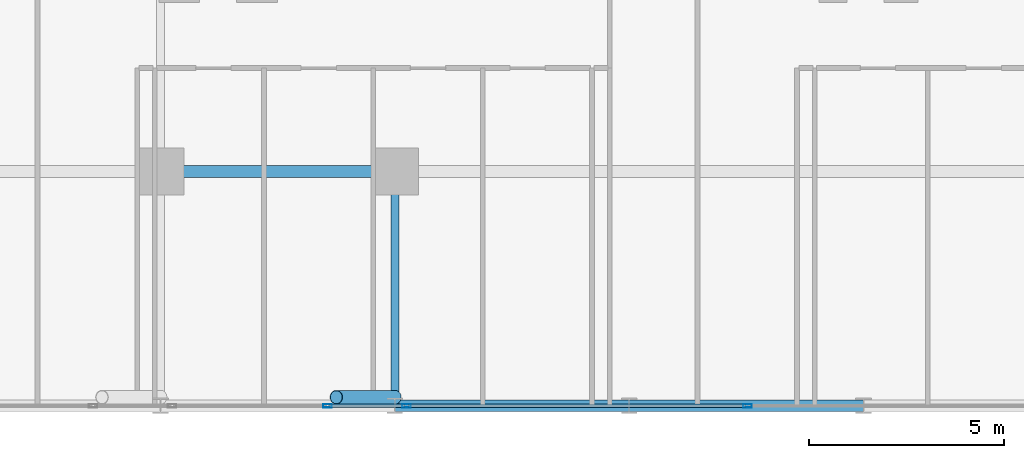
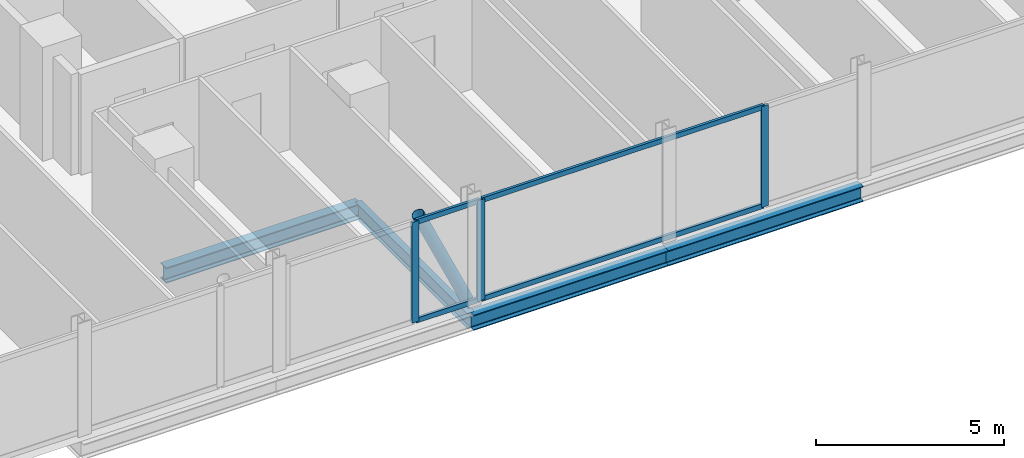
# One storey, part 8 of 33: 8 members, 4 beams, 2 elements without a shape of their own.
"""IFC4 building model written with IfcOpenShell, lengths in metres."""

from ifc_helpers import new_model, si_unit, direction, frame, origin, origin_2d, place, context, subcontext, project, spatial, hollow_rectangle, hollow_circle, i_section, extrude, material, layer, layer_set, material_profile, profile_set, type_object, element, aggregate, save


model = new_model("IFC4")

# Units and contexts
model_context = context("Model", 3, precision=1e-05, world=origin(), true_north=direction((0.0, 1.0)))
body_context = subcontext(model_context, "Body", "Model", "MODEL_VIEW")
ifc_project = project(units=[si_unit("LENGTHUNIT", "METRE"), si_unit("AREAUNIT", "SQUARE_METRE"), si_unit("VOLUMEUNIT", "CUBIC_METRE"), si_unit("PLANEANGLEUNIT", "RADIAN"), si_unit("MASSUNIT", "GRAM", prefix="KILO")], contexts=[model_context])

# Site, building, storey
site_placement = place(None, origin())
site = spatial("IfcSite", under=ifc_project, at=site_placement, CompositionType="ELEMENT")
building_placement = place(site_placement, origin())
building = spatial("IfcBuilding", under=site, at=building_placement, Name="Keshet Zoharim Tower", CompositionType="ELEMENT")
storey_placement = place(building_placement, frame((0.0, 0.0, 57.300048828125)))
storey = spatial("IfcBuildingStorey", under=building, at=storey_placement, Name="L13", CompositionType="ELEMENT", Elevation=57.300048828125)

# Beams
ifc_material_1 = material(Name="Steel S355", Category="steel")
ifc_material_profile_1 = material_profile(ifc_material_1, i_section(OverallWidth=0.199951171875, OverallDepth=0.5, WebThickness=0.01025390625, FlangeThickness=0.01611328125, FilletRadius=0.02099609375, at=origin_2d()), Name="IPE500")
ifc_profile_set_1 = profile_set([ifc_material_profile_1], Name="Steel S355")
beam_type_1 = type_object("IfcBeamType", Name="BM-PRI-IP500", PredefinedType="BEAM", material=ifc_profile_set_1)
beam_placement = place(storey_placement, frame((39.0, 0.699951171875, -0.56494140625), z_axis=(0.0, 1.0, 0.0), x_axis=(-1.0, 0.0, 0.0)))
element("IfcBeam", 1, at=beam_placement, inside=storey, type_object=beam_type_1, Name="L13 Primary Girder Y-012", PredefinedType="BEAM", context=body_context, shape_type="SweptSolid", body=[
    extrude(i_section(OverallWidth=0.199951171875, OverallDepth=0.5, WebThickness=0.01025390625, FlangeThickness=0.01611328125, FilletRadius=0.02099609375, at=origin_2d()), origin(), (0.0, 0.0, 1.0), 6.0),
])
ifc_material_profile_2 = material_profile(ifc_material_1, i_section(OverallWidth=0.300048828125, OverallDepth=0.5, WebThickness=0.014404296875, FlangeThickness=0.028076171875, FilletRadius=0.027099609375, at=origin_2d()), Name="HEB500")
ifc_profile_set_2 = profile_set([ifc_material_profile_2], Name="Steel S355")
beam_type_2 = type_object("IfcBeamType", Name="BM-WEB-HB500", PredefinedType="BEAM", material=ifc_profile_set_2)
for number, where, z_axis, x_axis, name in (
    (2, (39.0, 0.699951171875, -0.56494140625), (1.0, 0.0, 0.0), (0.0, 1.0, 0.0), "L13 Primary Girder X-003"),
    (3, (45.0, 0.699951171875, -0.56494140625), (1.0, 0.0, 0.0), (0.0, 1.0, 0.0), "L13 Primary Girder X-004"),
    (4, (33.0, 6.699951171875, -0.56494140625), (1.0, 0.0, 0.0), (0.0, 1.0, 0.0), "L13 Primary Girder X-008"),
):
    element("IfcBeam", number, at=place(storey_placement, frame(where, z_axis=z_axis, x_axis=x_axis)), inside=storey, type_object=beam_type_2, Name=name, PredefinedType="BEAM", context=body_context, shape_type="SweptSolid", body=[
        extrude(i_section(OverallWidth=0.300048828125, OverallDepth=0.5, WebThickness=0.014404296875, FlangeThickness=0.028076171875, FilletRadius=0.027099609375, at=origin_2d()), origin(), (0.0, 0.0, 1.0), 6.0),
    ])

# Curtain wall, members
ifc_material_2 = material(Name="Aluminium 6063-T6", Category="aluminium")
ifc_layer = layer(ifc_material_2, 0.179931640625)
ifc_layer_set = layer_set([ifc_layer], Name="Aluminium 6063-T6")
curtain_wall_type = type_object("IfcCurtainWallType", Name="CW-SYS-01", PredefinedType="NOTDEFINED", material=ifc_layer_set)
curtain_wall_1_placement = place(storey_placement, origin())
curtain_wall_1 = element("IfcCurtainWall", 5, at=curtain_wall_1_placement, inside=storey, type_object=curtain_wall_type, Name="L13 Unitised Curtain Wall 26", PredefinedType="NOTDEFINED")
ifc_material_profile_3 = material_profile(ifc_material_2, hollow_rectangle(XDim=0.090087890625, YDim=0.219970703125, WallThickness=0.0048828125, at=origin_2d()), Name="MUL-90x220")
ifc_profile_set_3 = profile_set([ifc_material_profile_3], Name="Aluminium 6063-T6")
member_type_1 = type_object("IfcMemberType", Name="CWM-M22", PredefinedType="MULLION", material=ifc_profile_set_3)
member_1_placement = place(storey_placement, frame((48.032470703125, 0.699951171875, 0.0), z_axis=(0.0, 0.0, 1.0), x_axis=(0.0, -1.0, 0.0)))
member_1 = element("IfcMember", 6, at=member_1_placement, type_object=member_type_1, Name="CW-01 mullion 2", PredefinedType="MULLION", context=body_context, shape_type="SweptSolid", body=[
    extrude(hollow_rectangle(XDim=0.090087890625, YDim=0.219970703125, WallThickness=0.0048828125, at=origin_2d()), origin(), (0.0, 0.0, 1.0), 3.280029296875),
])
member_2_placement = place(storey_placement, frame((39.296630859375, 0.699951171875, 0.0), z_axis=(0.0, 0.0, 1.0), x_axis=(0.0, -1.0, 0.0)))
member_2 = element("IfcMember", 7, at=member_2_placement, type_object=member_type_1, Name="CW-01 mullion 3", PredefinedType="MULLION", context=body_context, shape_type="SweptSolid", body=[
    extrude(hollow_rectangle(XDim=0.090087890625, YDim=0.219970703125, WallThickness=0.0048828125, at=origin_2d()), origin(), (0.0, 0.0, 1.0), 3.280029296875),
])

# Curtain wall, member
curtain_wall_2_placement = place(storey_placement, origin())
curtain_wall_2 = element("IfcCurtainWall", 8, at=curtain_wall_2_placement, inside=storey, type_object=curtain_wall_type, Name="L13 Unitised Curtain Wall 26 Part 2", PredefinedType="NOTDEFINED")
member_3_placement = place(storey_placement, frame((37.273193359375, 0.699951171875, 0.0), z_axis=(0.0, 0.0, 1.0), x_axis=(0.0, -1.0, 0.0)))
member_3 = element("IfcMember", 9, at=member_3_placement, type_object=member_type_1, Name="CW-01 mullion 2", PredefinedType="MULLION", context=body_context, shape_type="SweptSolid", body=[
    extrude(hollow_rectangle(XDim=0.090087890625, YDim=0.219970703125, WallThickness=0.0048828125, at=origin_2d()), origin(), (0.0, 0.0, 1.0), 3.280029296875),
])

# Member
ifc_material_profile_4 = material_profile(ifc_material_2, hollow_rectangle(XDim=0.0849609375, YDim=0.159912109375, WallThickness=0.00439453125, at=origin_2d()), Name="TRN-85x160")
ifc_profile_set_4 = profile_set([ifc_material_profile_4], Name="Aluminium 6063-T6")
member_type_2 = type_object("IfcMemberType", Name="CWT-T16", PredefinedType="USERDEFINED", material=ifc_profile_set_4)
member_4_placement = place(storey_placement, frame((47.997314453125, 0.699951171875, 0.034912109375), z_axis=(-1.0, 0.0, 0.0), x_axis=(0.0, -1.0, 0.0)))
member_4 = element("IfcMember", 10, at=member_4_placement, type_object=member_type_2, Name="CW-01 transom 2.1", ObjectType="TRANSOM", PredefinedType="USERDEFINED", context=body_context, shape_type="SweptSolid", body=[
    extrude(hollow_rectangle(XDim=0.0849609375, YDim=0.159912109375, WallThickness=0.00439453125, at=origin_2d()), origin(), (0.0, 0.0, 1.0), 8.66552734375),
])

member_5_placement = place(storey_placement, frame((47.997314453125, 0.699951171875, 3.244873046875), z_axis=(-1.0, 0.0, 0.0), x_axis=(0.0, -1.0, 0.0)))
member_5 = element("IfcMember", 11, at=member_5_placement, type_object=member_type_2, Name="CW-01 transom 2.2", ObjectType="TRANSOM", PredefinedType="USERDEFINED", context=body_context, shape_type="SweptSolid", body=[
    extrude(hollow_rectangle(XDim=0.0849609375, YDim=0.159912109375, WallThickness=0.00439453125, at=origin_2d()), origin(), (0.0, 0.0, 1.0), 8.66552734375),
])

aggregate(curtain_wall_1, [member_1, member_2, member_4, member_5])

member_6_placement = place(storey_placement, frame((39.26171875, 0.699951171875, 0.034912109375), z_axis=(-1.0, 0.0, 0.0), x_axis=(0.0, -1.0, 0.0)))
member_6 = element("IfcMember", 12, at=member_6_placement, type_object=member_type_2, Name="CW-01 transom 1.1", ObjectType="TRANSOM", PredefinedType="USERDEFINED", context=body_context, shape_type="SweptSolid", body=[
    extrude(hollow_rectangle(XDim=0.0849609375, YDim=0.159912109375, WallThickness=0.00439453125, at=origin_2d()), origin(), (0.0, 0.0, 1.0), 1.953369140625),
])

member_7_placement = place(storey_placement, frame((39.26171875, 0.699951171875, 3.244873046875), z_axis=(-1.0, 0.0, 0.0), x_axis=(0.0, -1.0, 0.0)))
member_7 = element("IfcMember", 13, at=member_7_placement, type_object=member_type_2, Name="CW-01 transom 1.2", ObjectType="TRANSOM", PredefinedType="USERDEFINED", context=body_context, shape_type="SweptSolid", body=[
    extrude(hollow_rectangle(XDim=0.0849609375, YDim=0.159912109375, WallThickness=0.00439453125, at=origin_2d()), origin(), (0.0, 0.0, 1.0), 1.953369140625),
])

aggregate(curtain_wall_2, [member_3, member_6, member_7])

ifc_material_profile_5 = material_profile(ifc_material_1, hollow_circle(Radius=0.177734375, WallThickness=0.012451171875, at=origin_2d()), Name="CHS355x12.5")
ifc_profile_set_5 = profile_set([ifc_material_profile_5], Name="Steel S355")
member_type_3 = type_object("IfcMemberType", Name="MB-BR-C355", PredefinedType="BRACE", material=ifc_profile_set_5)
member_8_placement = place(storey_placement, frame((39.0, 0.919921875, 0.0), z_axis=(-0.415887731958, 0.0, 0.909415963356), x_axis=(0.0, -1.0, 0.0)))
element("IfcMember", 14, at=member_8_placement, inside=storey, type_object=member_type_3, Name="L13 Perimeter Tube Brace 03", PredefinedType="BRACE", context=body_context, shape_type="SweptSolid", body=[
    extrude(hollow_circle(Radius=0.177734375, WallThickness=0.012451171875, at=origin_2d()), origin(), (0.0, 0.0, 1.0), 3.606689453125),
])

save(model, "model.ifc")
